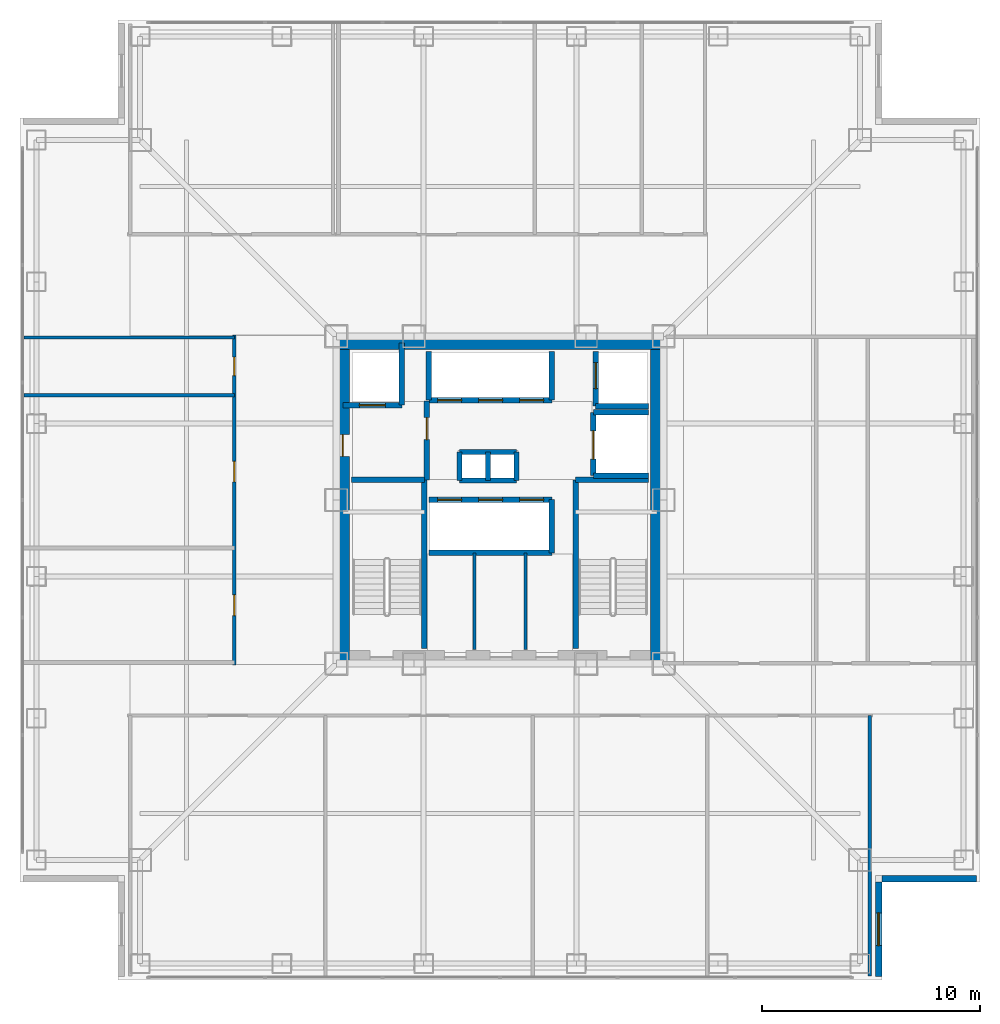
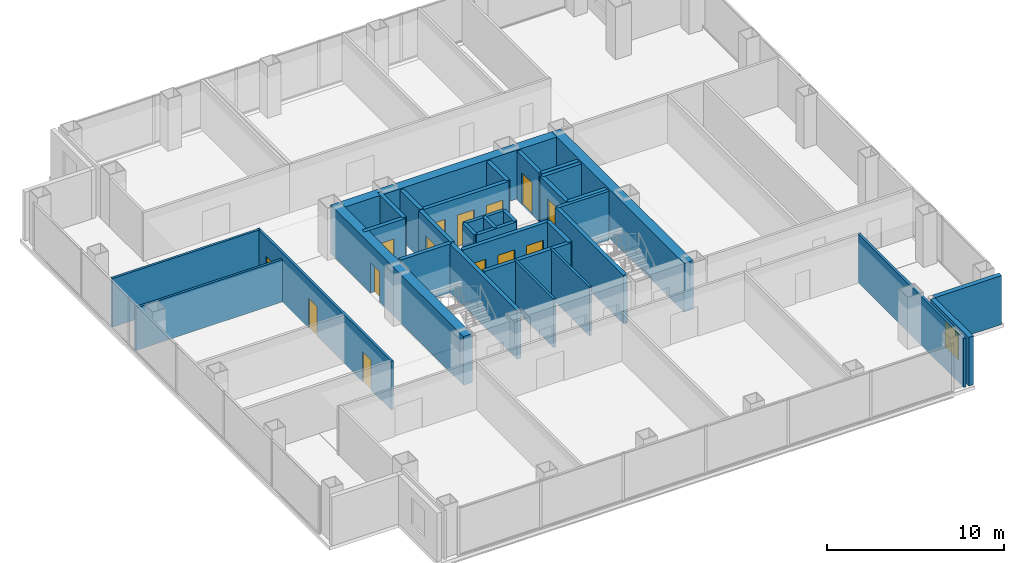
# One storey, part 13 of 17: 34 walls, 14 doors, 1 window, 15 openings.
"""IFC4 building model written with IfcOpenShell, lengths in metres."""

from ifc_helpers import new_model, si_unit, direction, frame, frame_2d, origin, place, context, subcontext, project, spatial, rectangle, extrude, material, layer, layer_set, type_object, element, fill, save


model = new_model("IFC4")

# Units and contexts
model_context = context("Model", 3, precision=1e-05, world=origin(), true_north=direction((0.0, 1.0)))
body_context = subcontext(model_context, "Body", "Model", "MODEL_VIEW")
ifc_project = project(units=[si_unit("LENGTHUNIT", "METRE"), si_unit("AREAUNIT", "SQUARE_METRE"), si_unit("VOLUMEUNIT", "CUBIC_METRE"), si_unit("PLANEANGLEUNIT", "RADIAN"), si_unit("MASSUNIT", "GRAM", prefix="KILO")], contexts=[model_context])

# Site, building, storey
site_placement = place(None, origin())
site = spatial("IfcSite", under=ifc_project, at=site_placement, CompositionType="ELEMENT")
building_placement = place(site_placement, origin())
building = spatial("IfcBuilding", under=site, at=building_placement, Name="Trevonay Congress Spire", CompositionType="ELEMENT")
storey_placement = place(building_placement, frame((0.0, 0.0, 130.0)))
storey = spatial("IfcBuildingStorey", under=building, at=storey_placement, Name="L33", CompositionType="ELEMENT", Elevation=130.0)

# Wall
ifc_material_1 = material(Name="Concrete C60/75", Category="concrete")
ifc_layer_1 = layer(ifc_material_1, 0.60009765625, Name="Concrete C60/75")
ifc_layer_set_1 = layer_set([ifc_layer_1], Name="Concrete C60/75")
wall_type_1 = type_object("IfcWallType", Name="WAL-CORE-600", PredefinedType="SHEAR", material=ifc_layer_set_1)
wall_1_placement = place(storey_placement, frame((-7.5, 7.199951171875, 0.0), z_axis=(0.0, 0.0, 1.0), x_axis=(1.0, 0.0, 0.0)))
element("IfcWall", 1, at=wall_1_placement, inside=storey, type_object=wall_type_1, Name="L33 North structural core shear wall", PredefinedType="SHEAR", context=body_context, shape_type="SweptSolid", body=[
    extrude(rectangle(XDim=15.0, YDim=0.60009765625, at=frame_2d((7.5, 0.0))), origin(), (0.0, 0.0, 1.0), 3.360107421875),
])

# Wall, opening, door
wall_2_placement = place(storey_placement, frame((-7.199951171875, -7.5, 0.0), z_axis=(0.0, 0.0, 1.0), x_axis=(0.0, 1.0, 0.0)))
wall_2 = element("IfcWall", 2, at=wall_2_placement, inside=storey, type_object=wall_type_1, Name="L33 West structural core shear wall", PredefinedType="SHEAR", context=body_context, shape_type="SweptSolid", body=[
    extrude(rectangle(XDim=15.0, YDim=0.60009765625, at=frame_2d((7.5, 0.0))), origin(), (0.0, 0.0, 1.0), 3.360107421875),
])
opening_1_placement = place(wall_2_placement, frame((9.5, 0.0, 0.0)))
opening_1 = element("IfcOpeningElement", 3, at=opening_1_placement, cuts=wall_2, Name="Opening D06", PredefinedType="OPENING", context=body_context, shape_type="SweptSolid", body=[
    extrude(rectangle(XDim=1.0, YDim=2.080078125, at=frame_2d((0.5, 1.0400390625))), frame((0.0, 0.31005859375, 0.0), z_axis=(0.0, -1.0, 0.0), x_axis=(1.0, 0.0, 0.0)), (0.0, 0.0, 1.0), 0.6201171875),
])
ifc_material_2 = material(Name="Steel ASTM A572 Grade 50", Category="steel")
door_type_1 = type_object("IfcDoorType", Name="DOR-FIRE-100", OperationType="NOTDEFINED", PredefinedType="DOOR", material=ifc_material_2)
door_1_placement = place(opening_1_placement, origin())
door_1 = element("IfcDoor", 4, at=door_1_placement, inside=storey, type_object=door_type_1, Name="L33 Firefighting Lift Lobby West Corridor Door", OperationType="SINGLE_SWING_LEFT", OverallHeight=2.080078125, OverallWidth=1.0, PredefinedType="DOOR", context=body_context, shape_type="SweptSolid", body=[
    extrude(rectangle(XDim=1.0, YDim=2.080078125, at=frame_2d((0.5, 1.0400390625))), frame((0.0, 0.02490234375, 0.0), z_axis=(0.0, -1.0, 0.0), x_axis=(1.0, 0.0, 0.0)), (0.0, 0.0, 1.0), 0.050048828125),
])
fill(opening_1, door_1)

# Wall
wall_3_placement = place(storey_placement, frame((7.199951171875, -7.5, 0.0), z_axis=(0.0, 0.0, 1.0), x_axis=(0.0, 1.0, 0.0)))
element("IfcWall", 5, at=wall_3_placement, inside=storey, type_object=wall_type_1, Name="L33 East structural core shear wall", PredefinedType="SHEAR", context=body_context, shape_type="SweptSolid", body=[
    extrude(rectangle(XDim=15.0, YDim=0.60009765625, at=frame_2d((7.5, 0.0))), origin(), (0.0, 0.0, 1.0), 3.360107421875),
])

# Wall, openings, doors
ifc_material_3 = material(Name="Concrete C40/50", Category="concrete")
ifc_layer_2 = layer(ifc_material_3, 0.14990234375, Name="Concrete C40/50")
ifc_layer_set_2 = layer_set([ifc_layer_2], Name="Concrete C40/50")
wall_type_2 = type_object("IfcWallType", Name="WAL-CORR-150", PredefinedType="PARTITIONING", material=ifc_layer_set_2)
wall_4_placement = place(storey_placement, frame((-12.179931640625, -7.570068359375, 0.0), z_axis=(0.0, 0.0, 1.0), x_axis=(0.0, 1.0, 0.0)))
wall_4 = element("IfcWall", 6, at=wall_4_placement, inside=storey, type_object=wall_type_2, Name="L33 interior wall WP-L33W-COR", PredefinedType="PARTITIONING", context=body_context, shape_type="SweptSolid", body=[
    extrude(rectangle(XDim=15.14013671875, YDim=0.14990234375, at=frame_2d((7.570068359375, 0.0))), origin(), (0.0, 0.0, 1.0), 3.360107421875),
])
opening_2_placement = place(wall_4_placement, frame((2.27001953125, 0.0, 0.0)))
opening_2 = element("IfcOpeningElement", 7, at=opening_2_placement, cuts=wall_4, Name="Opening D07", PredefinedType="OPENING", context=body_context, shape_type="SweptSolid", body=[
    extrude(rectangle(XDim=0.949951171875, YDim=2.06005859375, at=frame_2d((0.47509765625, 1.030029296875))), frame((0.0, 0.0849609375, 0.0), z_axis=(0.0, -1.0, 0.0), x_axis=(1.0, 0.0, 0.0)), (0.0, 0.0, 1.0), 0.169921875),
])
opening_3_placement = place(wall_4_placement, frame((8.39501953125, 0.0, 0.0)))
opening_3 = element("IfcOpeningElement", 8, at=opening_3_placement, cuts=wall_4, Name="Opening D07", PredefinedType="OPENING", context=body_context, shape_type="SweptSolid", body=[
    extrude(rectangle(XDim=0.949951171875, YDim=2.06005859375, at=frame_2d((0.47509765625, 1.030029296875))), frame((0.0, 0.0849609375, 0.0), z_axis=(0.0, -1.0, 0.0), x_axis=(1.0, 0.0, 0.0)), (0.0, 0.0, 1.0), 0.169921875),
])
opening_4_placement = place(wall_4_placement, frame((13.27001953125, 0.0, 0.0)))
opening_4 = element("IfcOpeningElement", 9, at=opening_4_placement, cuts=wall_4, Name="Opening D10", PredefinedType="OPENING", context=body_context, shape_type="SweptSolid", body=[
    extrude(rectangle(XDim=0.85009765625, YDim=2.050048828125, at=frame_2d((0.425048828125, 1.02490234375))), frame((0.0, 0.0849609375, 0.0), z_axis=(0.0, -1.0, 0.0), x_axis=(1.0, 0.0, 0.0)), (0.0, 0.0, 1.0), 0.169921875),
])
ifc_material_4 = material(Name="Pale Anodised Aluminium EN AW-6063-T6", Category="aluminium")
door_type_2 = type_object("IfcDoorType", Name="DOR-OFFICE-95", OperationType="NOTDEFINED", PredefinedType="DOOR", material=ifc_material_4)
door_2_placement = place(opening_2_placement, origin())
door_2 = element("IfcDoor", 10, at=door_2_placement, inside=storey, type_object=door_type_2, Name="L33 Faculty Office West Door", OperationType="SINGLE_SWING_LEFT", OverallHeight=2.06005859375, OverallWidth=0.949951171875, PredefinedType="DOOR", context=body_context, shape_type="SweptSolid", body=[
    extrude(rectangle(XDim=0.949951171875, YDim=2.06005859375, at=frame_2d((0.47509765625, 1.030029296875))), frame((0.0, 0.02490234375, 0.0), z_axis=(0.0, -1.0, 0.0), x_axis=(1.0, 0.0, 0.0)), (0.0, 0.0, 1.0), 0.050048828125),
])
fill(opening_2, door_2)
door_3_placement = place(opening_3_placement, origin())
door_3 = element("IfcDoor", 11, at=door_3_placement, inside=storey, type_object=door_type_2, Name="L33 Tutorial Seminar Room Door", OperationType="SINGLE_SWING_RIGHT", OverallHeight=2.06005859375, OverallWidth=0.949951171875, PredefinedType="DOOR", context=body_context, shape_type="SweptSolid", body=[
    extrude(rectangle(XDim=0.949951171875, YDim=2.06005859375, at=frame_2d((0.47509765625, 1.030029296875))), frame((0.0, 0.02490234375, 0.0), z_axis=(0.0, -1.0, 0.0), x_axis=(1.0, 0.0, 0.0)), (0.0, 0.0, 1.0), 0.050048828125),
])
fill(opening_3, door_3)
door_type_3 = type_object("IfcDoorType", Name="DOR-WC-85", OperationType="NOTDEFINED", PredefinedType="DOOR", material=ifc_material_4)
door_4_placement = place(opening_4_placement, origin())
door_4 = element("IfcDoor", 12, at=door_4_placement, inside=storey, type_object=door_type_3, Name="L33 Accessible WC Door", OperationType="SINGLE_SWING_LEFT", OverallHeight=2.050048828125, OverallWidth=0.85009765625, PredefinedType="DOOR", context=body_context, shape_type="SweptSolid", body=[
    extrude(rectangle(XDim=0.85009765625, YDim=2.050048828125, at=frame_2d((0.425048828125, 1.02490234375))), frame((0.0, 0.02490234375, 0.0), z_axis=(0.0, -1.0, 0.0), x_axis=(1.0, 0.0, 0.0)), (0.0, 0.0, 1.0), 0.050048828125),
])
fill(opening_4, door_4)

# Wall, opening, window
ifc_material_5 = material(Name="Precast concrete C40/50", Category="concrete")
ifc_layer_3 = layer(ifc_material_5, 0.300048828125, Name="Precast concrete C40/50")
ifc_layer_set_3 = layer_set([ifc_layer_3], Name="Precast concrete C40/50")
wall_type_3 = type_object("IfcWallType", Name="WAL-EXT-PRECAST-300", PredefinedType="SOLIDWALL", material=ifc_layer_set_3)
wall_5_placement = place(storey_placement, frame((17.35009765625, -21.85009765625, 0.0), z_axis=(0.0, 0.0, 1.0), x_axis=(0.0, 1.0, 0.0)))
wall_5 = element("IfcWall", 13, at=wall_5_placement, inside=storey, type_object=wall_type_3, Name="L33 SE re-entrant notch exterior wall 1", PredefinedType="SOLIDWALL", context=body_context, shape_type="SweptSolid", body=[
    extrude(rectangle(XDim=4.35009765625, YDim=0.300048828125, at=frame_2d((2.175048828125, 0.0))), origin(), (0.0, 0.0, 1.0), 3.360107421875),
])
opening_5_placement = place(wall_5_placement, frame((1.425048828125, 0.0, 0.89990234375)))
opening_5 = element("IfcOpeningElement", 14, at=opening_5_placement, cuts=wall_5, Name="Opening WN03", PredefinedType="OPENING", context=body_context, shape_type="SweptSolid", body=[
    extrude(rectangle(XDim=1.5, YDim=1.800048828125, at=frame_2d((0.75, 0.89990234375))), frame((0.0, 0.16015625, 0.0), z_axis=(0.0, -1.0, 0.0), x_axis=(1.0, 0.0, 0.0)), (0.0, 0.0, 1.0), 0.320068359375),
])
ifc_material_6 = material(Name="Insulated Low-E Vision Glass IGU", Category="glass")
window_type = type_object("IfcWindowType", Name="WIN-NOTCH-150X180", PartitioningType="SINGLE_PANEL", PredefinedType="WINDOW", material=ifc_material_6)
window_placement = place(opening_5_placement, origin())
window = element("IfcWindow", 15, at=window_placement, inside=storey, type_object=window_type, Name="L33 SE corner notch window", OverallHeight=1.800048828125, OverallWidth=1.5, PartitioningType="SINGLE_PANEL", PredefinedType="WINDOW", context=body_context, shape_type="SweptSolid", body=[
    extrude(rectangle(XDim=1.5, YDim=1.800048828125, at=frame_2d((0.75, 0.89990234375))), frame((0.0, 0.030029296875, 0.0), z_axis=(0.0, -1.0, 0.0), x_axis=(1.0, 0.0, 0.0)), (0.0, 0.0, 1.0), 0.06005859375),
])
fill(opening_5, window)

# Walls
wall_6_placement = place(storey_placement, frame((21.85009765625, -17.35009765625, 0.0), z_axis=(0.0, 0.0, 1.0), x_axis=(-1.0, 0.0, 0.0)))
element("IfcWall", 16, at=wall_6_placement, inside=storey, type_object=wall_type_3, Name="L33 SE re-entrant notch exterior wall 2", PredefinedType="SOLIDWALL", context=body_context, shape_type="SweptSolid", body=[
    extrude(rectangle(XDim=4.35009765625, YDim=0.300048828125, at=frame_2d((2.175048828125, 0.0))), origin(), (0.0, 0.0, 1.0), 3.360107421875),
])
ifc_layer_4 = layer(ifc_material_3, 0.14990234375, Name="Concrete C40/50")
ifc_layer_set_4 = layer_set([ifc_layer_4], Name="Concrete C40/50")
wall_type_4 = type_object("IfcWallType", Name="WAL-PART-150", PredefinedType="PARTITIONING", material=ifc_layer_set_4)
for number, where, z_axis, x_axis, name in (
    (17, (-1.169921875, -6.85009765625, 0.0), (0.0, 0.0, 1.0), (0.0, 1.0, 0.0), "L33 interior wall CW-F2A-L33"),
    (18, (1.169921875, -6.85009765625, 0.0), (0.0, 0.0, 1.0), (0.0, 1.0, 0.0), "L33 interior wall CW-F2B-L33"),
):
    element("IfcWall", number, at=place(storey_placement, frame(where, z_axis=z_axis, x_axis=x_axis)), inside=storey, type_object=wall_type_4, Name=name, PredefinedType="PARTITIONING", context=body_context, shape_type="SweptSolid", body=[
        extrude(rectangle(XDim=4.420166015625, YDim=0.14990234375, at=frame_2d((2.2099609375, 0.0))), origin(), (0.0, 0.0, 1.0), 3.360107421875),
    ])
wall_7_placement = place(storey_placement, frame((16.949951171875, -21.820068359375, 0.0), z_axis=(0.0, 0.0, 1.0), x_axis=(0.0, 1.0, 0.0)))
element("IfcWall", 19, at=wall_7_placement, inside=storey, type_object=wall_type_4, Name="L33 interior wall WP-L33S-DIV5", PredefinedType="PARTITIONING", context=body_context, shape_type="SweptSolid", body=[
    extrude(rectangle(XDim=11.940185546875, YDim=0.14990234375, at=frame_2d((5.97021484375, 0.0))), origin(), (0.0, 0.0, 1.0), 3.360107421875),
])
wall_8_placement = place(storey_placement, frame((-21.820068359375, 4.800048828125, 0.0), z_axis=(0.0, 0.0, 1.0), x_axis=(1.0, 0.0, 0.0)))
element("IfcWall", 20, at=wall_8_placement, inside=storey, type_object=wall_type_4, Name="L33 interior wall WP-L33W-DIV3", PredefinedType="PARTITIONING", context=body_context, shape_type="SweptSolid", body=[
    extrude(rectangle(XDim=9.64013671875, YDim=0.14990234375, at=frame_2d((4.820068359375, 0.0))), origin(), (0.0, 0.0, 1.0), 2.927978515625),
])
wall_9_placement = place(storey_placement, frame((-21.820068359375, 7.449951171875, 0.0), z_axis=(0.0, 0.0, 1.0), x_axis=(1.0, 0.0, 0.0)))
element("IfcWall", 21, at=wall_9_placement, inside=storey, type_object=wall_type_4, Name="L33 interior wall WP-L33W-DIV4", PredefinedType="PARTITIONING", context=body_context, shape_type="SweptSolid", body=[
    extrude(rectangle(XDim=9.64013671875, YDim=0.14990234375, at=frame_2d((4.820068359375, 0.0))), origin(), (0.0, 0.0, 1.0), 3.360107421875),
])
ifc_layer_5 = layer(ifc_material_3, 0.219970703125, Name="Concrete C40/50")
ifc_layer_set_5 = layer_set([ifc_layer_5], Name="Concrete C40/50")
wall_type_5 = type_object("IfcWallType", Name="WAL-SHAFT-220", PredefinedType="PARTITIONING", material=ifc_layer_set_5)
for number, where, z_axis, x_axis, name in (
    (22, (-1.85009765625, 2.199951171875, 0.0), (0.0, 0.0, 1.0), (1.0, 0.0, 0.0), "L33 interior shaft wall WSH-L33-RSR-N"),
    (23, (-1.85009765625, 0.89990234375, 0.0), (0.0, 0.0, 1.0), (1.0, 0.0, 0.0), "L33 interior shaft wall WSH-L33-RSR-S"),
):
    element("IfcWall", number, at=place(storey_placement, frame(where, z_axis=z_axis, x_axis=x_axis)), inside=storey, type_object=wall_type_5, Name=name, PredefinedType="PARTITIONING", context=body_context, shape_type="SweptSolid", body=[
        extrude(rectangle(XDim=2.60009765625, YDim=0.219970703125, at=frame_2d((1.300048828125, 0.0))), origin(), (0.0, 0.0, 1.0), 3.360107421875),
    ])
for number, where, z_axis, x_axis, name in (
    (24, (-0.550048828125, 0.89990234375, 0.0), (0.0, 0.0, 1.0), (0.0, 1.0, 0.0), "L33 interior shaft wall WSH-L33-RSR-M"),
    (25, (0.75, 0.89990234375, 0.0), (0.0, 0.0, 1.0), (0.0, 1.0, 0.0), "L33 interior shaft wall WSH-L33-RSR-E"),
    (26, (-1.85009765625, 0.89990234375, 0.0), (0.0, 0.0, 1.0), (0.0, 1.0, 0.0), "L33 interior shaft wall WSH-L33-RSR-W"),
):
    element("IfcWall", number, at=place(storey_placement, frame(where, z_axis=z_axis, x_axis=x_axis)), inside=storey, type_object=wall_type_5, Name=name, PredefinedType="PARTITIONING", context=body_context, shape_type="SweptSolid", body=[
        extrude(rectangle(XDim=1.300048828125, YDim=0.219970703125, at=frame_2d((0.64990234375, 0.0))), origin(), (0.0, 0.0, 1.0), 3.360107421875),
    ])

# Wall, openings, doors
ifc_layer_6 = layer(ifc_material_3, 0.25, Name="Concrete C40/50")
ifc_layer_set_6 = layer_set([ifc_layer_6], Name="Concrete C40/50")
wall_type_6 = type_object("IfcWallType", Name="WAL-SHAFT-250", PredefinedType="SHEAR", material=ifc_layer_set_6)
wall_10_placement = place(storey_placement, frame((-3.260009765625, 0.02001953125, 0.0), z_axis=(0.0, 0.0, 1.0), x_axis=(1.0, 0.0, 0.0)))
wall_10 = element("IfcWall", 27, at=wall_10_placement, inside=storey, type_object=wall_type_6, Name="L33 interior shaft wall WSH-L33-B2-N", PredefinedType="SHEAR", context=body_context, shape_type="SweptSolid", body=[
    extrude(rectangle(XDim=5.639892578125, YDim=0.25, at=frame_2d((2.81982421875, 0.0))), origin(), (0.0, 0.0, 1.0), 3.360107421875),
])
opening_6_placement = place(wall_10_placement, frame((0.39990234375, 0.0, 0.0)))
opening_6 = element("IfcOpeningElement", 28, at=opening_6_placement, cuts=wall_10, Name="Opening LD02", PredefinedType="OPENING", context=body_context, shape_type="SweptSolid", body=[
    extrude(rectangle(XDim=1.10009765625, YDim=2.199951171875, at=frame_2d((0.550048828125, 1.10009765625))), frame((0.0, 0.135009765625, 0.0), z_axis=(0.0, -1.0, 0.0), x_axis=(1.0, 0.0, 0.0)), (0.0, 0.0, 1.0), 0.27001953125),
])
opening_7_placement = place(wall_10_placement, frame((2.280029296875, 0.0, 0.0)))
opening_7 = element("IfcOpeningElement", 29, at=opening_7_placement, cuts=wall_10, Name="Opening LD02", PredefinedType="OPENING", context=body_context, shape_type="SweptSolid", body=[
    extrude(rectangle(XDim=1.10009765625, YDim=2.199951171875, at=frame_2d((0.550048828125, 1.10009765625))), frame((0.0, 0.135009765625, 0.0), z_axis=(0.0, -1.0, 0.0), x_axis=(1.0, 0.0, 0.0)), (0.0, 0.0, 1.0), 0.27001953125),
])
opening_8_placement = place(wall_10_placement, frame((4.159912109375, 0.0, 0.0)))
opening_8 = element("IfcOpeningElement", 30, at=opening_8_placement, cuts=wall_10, Name="Opening LD02", PredefinedType="OPENING", context=body_context, shape_type="SweptSolid", body=[
    extrude(rectangle(XDim=1.10009765625, YDim=2.199951171875, at=frame_2d((0.550048828125, 1.10009765625))), frame((0.0, 0.135009765625, 0.0), z_axis=(0.0, -1.0, 0.0), x_axis=(1.0, 0.0, 0.0)), (0.0, 0.0, 1.0), 0.27001953125),
])
door_type_4 = type_object("IfcDoorType", Name="DOR-LIFT-LD02", OperationType="DOUBLE_DOOR_SLIDING", PredefinedType="DOOR", material=ifc_material_4)
door_5_placement = place(opening_6_placement, origin())
door_5 = element("IfcDoor", 31, at=door_5_placement, inside=storey, type_object=door_type_4, Name="L33 Passenger lift PL-04 landing door", OperationType="DOUBLE_DOOR_SLIDING", OverallHeight=2.199951171875, OverallWidth=1.10009765625, PredefinedType="DOOR", context=body_context, shape_type="SweptSolid", body=[
    extrude(rectangle(XDim=1.10009765625, YDim=2.199951171875, at=frame_2d((0.550048828125, 1.10009765625))), frame((0.0, 0.02490234375, 0.0), z_axis=(0.0, -1.0, 0.0), x_axis=(1.0, 0.0, 0.0)), (0.0, 0.0, 1.0), 0.050048828125),
])
fill(opening_6, door_5)
door_6_placement = place(opening_7_placement, origin())
door_6 = element("IfcDoor", 32, at=door_6_placement, inside=storey, type_object=door_type_4, Name="L33 Passenger lift PL-05 landing door", OperationType="DOUBLE_DOOR_SLIDING", OverallHeight=2.199951171875, OverallWidth=1.10009765625, PredefinedType="DOOR", context=body_context, shape_type="SweptSolid", body=[
    extrude(rectangle(XDim=1.10009765625, YDim=2.199951171875, at=frame_2d((0.550048828125, 1.10009765625))), frame((0.0, 0.02490234375, 0.0), z_axis=(0.0, -1.0, 0.0), x_axis=(1.0, 0.0, 0.0)), (0.0, 0.0, 1.0), 0.050048828125),
])
fill(opening_7, door_6)
door_7_placement = place(opening_8_placement, origin())
door_7 = element("IfcDoor", 33, at=door_7_placement, inside=storey, type_object=door_type_4, Name="L33 Passenger lift PL-06 landing door", OperationType="DOUBLE_DOOR_SLIDING", OverallHeight=2.199951171875, OverallWidth=1.10009765625, PredefinedType="DOOR", context=body_context, shape_type="SweptSolid", body=[
    extrude(rectangle(XDim=1.10009765625, YDim=2.199951171875, at=frame_2d((0.550048828125, 1.10009765625))), frame((0.0, 0.02490234375, 0.0), z_axis=(0.0, -1.0, 0.0), x_axis=(1.0, 0.0, 0.0)), (0.0, 0.0, 1.0), 0.050048828125),
])
fill(opening_8, door_7)

# Walls
wall_11_placement = place(storey_placement, frame((-3.260009765625, -2.419921875, 0.0), z_axis=(0.0, 0.0, 1.0), x_axis=(1.0, 0.0, 0.0)))
element("IfcWall", 34, at=wall_11_placement, inside=storey, type_object=wall_type_6, Name="L33 interior shaft wall WSH-L33-B2-S", PredefinedType="SHEAR", context=body_context, shape_type="SweptSolid", body=[
    extrude(rectangle(XDim=5.639892578125, YDim=0.25, at=frame_2d((2.81982421875, 0.0))), origin(), (0.0, 0.0, 1.0), 3.360107421875),
])
wall_12_placement = place(storey_placement, frame((2.3798828125, -2.419921875, 0.0), z_axis=(0.0, 0.0, 1.0), x_axis=(0.0, 1.0, 0.0)))
element("IfcWall", 35, at=wall_12_placement, inside=storey, type_object=wall_type_6, Name="L33 interior shaft wall WSH-L33-B2-E", PredefinedType="SHEAR", context=body_context, shape_type="SweptSolid", body=[
    extrude(rectangle(XDim=2.43994140625, YDim=0.25, at=frame_2d((1.219970703125, 0.0))), origin(), (0.0, 0.0, 1.0), 3.360107421875),
])

# Wall, openings, doors
wall_13_placement = place(storey_placement, frame((-3.260009765625, 4.580078125, 0.0), z_axis=(0.0, 0.0, 1.0), x_axis=(1.0, 0.0, 0.0)))
wall_13 = element("IfcWall", 36, at=wall_13_placement, inside=storey, type_object=wall_type_6, Name="L33 interior shaft wall WSH-L33-B3-S", PredefinedType="SHEAR", context=body_context, shape_type="SweptSolid", body=[
    extrude(rectangle(XDim=5.639892578125, YDim=0.25, at=frame_2d((2.81982421875, 0.0))), origin(), (0.0, 0.0, 1.0), 3.360107421875),
])
opening_9_placement = place(wall_13_placement, frame((0.39990234375, 0.0, 0.0)))
opening_9 = element("IfcOpeningElement", 37, at=opening_9_placement, cuts=wall_13, Name="Opening LD03", PredefinedType="OPENING", context=body_context, shape_type="SweptSolid", body=[
    extrude(rectangle(XDim=1.10009765625, YDim=2.199951171875, at=frame_2d((0.550048828125, 1.10009765625))), frame((0.0, 0.135009765625, 0.0), z_axis=(0.0, -1.0, 0.0), x_axis=(1.0, 0.0, 0.0)), (0.0, 0.0, 1.0), 0.27001953125),
])
opening_10_placement = place(wall_13_placement, frame((2.280029296875, 0.0, 0.0)))
opening_10 = element("IfcOpeningElement", 38, at=opening_10_placement, cuts=wall_13, Name="Opening LD03", PredefinedType="OPENING", context=body_context, shape_type="SweptSolid", body=[
    extrude(rectangle(XDim=1.10009765625, YDim=2.199951171875, at=frame_2d((0.550048828125, 1.10009765625))), frame((0.0, 0.135009765625, 0.0), z_axis=(0.0, -1.0, 0.0), x_axis=(1.0, 0.0, 0.0)), (0.0, 0.0, 1.0), 0.27001953125),
])
opening_11_placement = place(wall_13_placement, frame((4.159912109375, 0.0, 0.0)))
opening_11 = element("IfcOpeningElement", 39, at=opening_11_placement, cuts=wall_13, Name="Opening LD03", PredefinedType="OPENING", context=body_context, shape_type="SweptSolid", body=[
    extrude(rectangle(XDim=1.10009765625, YDim=2.199951171875, at=frame_2d((0.550048828125, 1.10009765625))), frame((0.0, 0.135009765625, 0.0), z_axis=(0.0, -1.0, 0.0), x_axis=(1.0, 0.0, 0.0)), (0.0, 0.0, 1.0), 0.27001953125),
])
door_type_5 = type_object("IfcDoorType", Name="DOR-LIFT-LD03", OperationType="DOUBLE_DOOR_SLIDING", PredefinedType="DOOR", material=ifc_material_4)
door_8_placement = place(opening_9_placement, origin())
door_8 = element("IfcDoor", 40, at=door_8_placement, inside=storey, type_object=door_type_5, Name="L33 Passenger lift PL-07 landing door", OperationType="DOUBLE_DOOR_SLIDING", OverallHeight=2.199951171875, OverallWidth=1.10009765625, PredefinedType="DOOR", context=body_context, shape_type="SweptSolid", body=[
    extrude(rectangle(XDim=1.10009765625, YDim=2.199951171875, at=frame_2d((0.550048828125, 1.10009765625))), frame((0.0, 0.02490234375, 0.0), z_axis=(0.0, -1.0, 0.0), x_axis=(1.0, 0.0, 0.0)), (0.0, 0.0, 1.0), 0.050048828125),
])
fill(opening_9, door_8)
door_9_placement = place(opening_10_placement, origin())
door_9 = element("IfcDoor", 41, at=door_9_placement, inside=storey, type_object=door_type_5, Name="L33 Passenger lift PL-08 landing door", OperationType="DOUBLE_DOOR_SLIDING", OverallHeight=2.199951171875, OverallWidth=1.10009765625, PredefinedType="DOOR", context=body_context, shape_type="SweptSolid", body=[
    extrude(rectangle(XDim=1.10009765625, YDim=2.199951171875, at=frame_2d((0.550048828125, 1.10009765625))), frame((0.0, 0.02490234375, 0.0), z_axis=(0.0, -1.0, 0.0), x_axis=(1.0, 0.0, 0.0)), (0.0, 0.0, 1.0), 0.050048828125),
])
fill(opening_10, door_9)
door_10_placement = place(opening_11_placement, origin())
door_10 = element("IfcDoor", 42, at=door_10_placement, inside=storey, type_object=door_type_5, Name="L33 Passenger lift PL-09 landing door", OperationType="DOUBLE_DOOR_SLIDING", OverallHeight=2.199951171875, OverallWidth=1.10009765625, PredefinedType="DOOR", context=body_context, shape_type="SweptSolid", body=[
    extrude(rectangle(XDim=1.10009765625, YDim=2.199951171875, at=frame_2d((0.550048828125, 1.10009765625))), frame((0.0, 0.02490234375, 0.0), z_axis=(0.0, -1.0, 0.0), x_axis=(1.0, 0.0, 0.0)), (0.0, 0.0, 1.0), 0.050048828125),
])
fill(opening_11, door_10)

# Walls
for number, where, z_axis, x_axis, name in (
    (43, (-3.260009765625, 4.580078125, 0.0), (0.0, 0.0, 1.0), (0.0, 1.0, 0.0), "L33 interior shaft wall WSH-L33-B3-W"),
    (44, (2.3798828125, 4.580078125, 0.0), (0.0, 0.0, 1.0), (0.0, 1.0, 0.0), "L33 interior shaft wall WSH-L33-B3-E"),
):
    element("IfcWall", number, at=place(storey_placement, frame(where, z_axis=z_axis, x_axis=x_axis)), inside=storey, type_object=wall_type_6, Name=name, PredefinedType="SHEAR", context=body_context, shape_type="SweptSolid", body=[
        extrude(rectangle(XDim=2.219970703125, YDim=0.25, at=frame_2d((1.10986328125, 0.0))), origin(), (0.0, 0.0, 1.0), 3.360107421875),
    ])

# Wall, opening, door
wall_14_placement = place(storey_placement, frame((-7.199951171875, 4.35009765625, 0.0), z_axis=(0.0, 0.0, 1.0), x_axis=(1.0, 0.0, 0.0)))
wall_14 = element("IfcWall", 45, at=wall_14_placement, inside=storey, type_object=wall_type_6, Name="L33 interior shaft wall WSH-L33-FF1-S", PredefinedType="SHEAR", context=body_context, shape_type="SweptSolid", body=[
    extrude(rectangle(XDim=2.699951171875, YDim=0.25, at=frame_2d((1.35009765625, 0.0))), origin(), (0.0, 0.0, 1.0), 3.360107421875),
])
opening_12_placement = place(wall_14_placement, frame((0.75, 0.0, 0.0)))
opening_12 = element("IfcOpeningElement", 46, at=opening_12_placement, cuts=wall_14, Name="Opening LD04", PredefinedType="OPENING", context=body_context, shape_type="SweptSolid", body=[
    extrude(rectangle(XDim=1.199951171875, YDim=2.199951171875, at=frame_2d((0.60009765625, 1.10009765625))), frame((0.0, 0.135009765625, 0.0), z_axis=(0.0, -1.0, 0.0), x_axis=(1.0, 0.0, 0.0)), (0.0, 0.0, 1.0), 0.27001953125),
])
door_type_6 = type_object("IfcDoorType", Name="DOR-LIFT-LD04", OperationType="DOUBLE_DOOR_SLIDING", PredefinedType="DOOR", material=ifc_material_2)
door_11_placement = place(opening_12_placement, origin())
door_11 = element("IfcDoor", 47, at=door_11_placement, inside=storey, type_object=door_type_6, Name="L33 Firefighting lift FFL-01 landing door", OperationType="DOUBLE_DOOR_SLIDING", OverallHeight=2.199951171875, OverallWidth=1.199951171875, PredefinedType="DOOR", context=body_context, shape_type="SweptSolid", body=[
    extrude(rectangle(XDim=1.199951171875, YDim=2.199951171875, at=frame_2d((0.60009765625, 1.10009765625))), frame((0.0, 0.02490234375, 0.0), z_axis=(0.0, -1.0, 0.0), x_axis=(1.0, 0.0, 0.0)), (0.0, 0.0, 1.0), 0.050048828125),
])
fill(opening_12, door_11)

# Walls
wall_15_placement = place(storey_placement, frame((-4.5, 4.35009765625, 0.0), z_axis=(0.0, 0.0, 1.0), x_axis=(0.0, 1.0, 0.0)))
element("IfcWall", 48, at=wall_15_placement, inside=storey, type_object=wall_type_6, Name="L33 interior shaft wall WSH-L33-FF1-E", PredefinedType="SHEAR", context=body_context, shape_type="SweptSolid", body=[
    extrude(rectangle(XDim=2.849853515625, YDim=0.25, at=frame_2d((1.4248046875, 0.0))), origin(), (0.0, 0.0, 1.0), 3.360107421875),
])
wall_16_placement = place(storey_placement, frame((4.3798828125, 4.300048828125, 0.0), z_axis=(0.0, 0.0, 1.0), x_axis=(1.0, 0.0, 0.0)))
element("IfcWall", 49, at=wall_16_placement, inside=storey, type_object=wall_type_6, Name="L33 interior shaft wall WSH-L33-FF2-S", PredefinedType="SHEAR", context=body_context, shape_type="SweptSolid", body=[
    extrude(rectangle(XDim=2.420166015625, YDim=0.25, at=frame_2d((1.2099609375, 0.0))), origin(), (0.0, 0.0, 1.0), 3.360107421875),
])

# Wall, opening, door
wall_17_placement = place(storey_placement, frame((4.3798828125, 4.300048828125, 0.0), z_axis=(0.0, 0.0, 1.0), x_axis=(0.0, 1.0, 0.0)))
wall_17 = element("IfcWall", 50, at=wall_17_placement, inside=storey, type_object=wall_type_6, Name="L33 interior shaft wall WSH-L33-FF2-W", PredefinedType="SHEAR", context=body_context, shape_type="SweptSolid", body=[
    extrude(rectangle(XDim=2.5, YDim=0.25, at=frame_2d((1.25, 0.0))), origin(), (0.0, 0.0, 1.0), 3.360107421875),
])
opening_13_placement = place(wall_17_placement, frame((0.800048828125, 0.0, 0.0)))
opening_13 = element("IfcOpeningElement", 51, at=opening_13_placement, cuts=wall_17, Name="Opening LD04", PredefinedType="OPENING", context=body_context, shape_type="SweptSolid", body=[
    extrude(rectangle(XDim=1.199951171875, YDim=2.199951171875, at=frame_2d((0.60009765625, 1.10009765625))), frame((0.0, 0.135009765625, 0.0), z_axis=(0.0, -1.0, 0.0), x_axis=(1.0, 0.0, 0.0)), (0.0, 0.0, 1.0), 0.27001953125),
])
door_12_placement = place(opening_13_placement, origin())
door_12 = element("IfcDoor", 52, at=door_12_placement, inside=storey, type_object=door_type_6, Name="L33 Firefighting lift FFL-02 landing door", OperationType="DOUBLE_DOOR_SLIDING", OverallHeight=2.199951171875, OverallWidth=1.199951171875, PredefinedType="DOOR", context=body_context, shape_type="SweptSolid", body=[
    extrude(rectangle(XDim=1.199951171875, YDim=2.199951171875, at=frame_2d((0.60009765625, 1.10009765625))), frame((0.0, 0.02490234375, 0.0), z_axis=(0.0, -1.0, 0.0), x_axis=(1.0, 0.0, 0.0)), (0.0, 0.0, 1.0), 0.050048828125),
])
fill(opening_13, door_12)

wall_18_placement = place(storey_placement, frame((4.280029296875, 1.1201171875, 0.0), z_axis=(0.0, 0.0, 1.0), x_axis=(0.0, 1.0, 0.0)))
wall_18 = element("IfcWall", 53, at=wall_18_placement, inside=storey, type_object=wall_type_6, Name="L33 interior shaft wall WSH-L33-SV-W", PredefinedType="SHEAR", context=body_context, shape_type="SweptSolid", body=[
    extrude(rectangle(XDim=2.89990234375, YDim=0.25, at=frame_2d((1.449951171875, 0.0))), origin(), (0.0, 0.0, 1.0), 3.360107421875),
])
opening_14_placement = place(wall_18_placement, frame((0.75, 0.0, 0.0)))
opening_14 = element("IfcOpeningElement", 54, at=opening_14_placement, cuts=wall_18, Name="Opening LD05", PredefinedType="OPENING", context=body_context, shape_type="SweptSolid", body=[
    extrude(rectangle(XDim=1.300048828125, YDim=2.300048828125, at=frame_2d((0.64990234375, 1.14990234375))), frame((0.0, 0.135009765625, 0.0), z_axis=(0.0, -1.0, 0.0), x_axis=(1.0, 0.0, 0.0)), (0.0, 0.0, 1.0), 0.27001953125),
])
door_type_7 = type_object("IfcDoorType", Name="DOR-LIFT-LD05", OperationType="DOUBLE_DOOR_SLIDING", PredefinedType="DOOR", material=ifc_material_2)
door_13_placement = place(opening_14_placement, origin())
door_13 = element("IfcDoor", 55, at=door_13_placement, inside=storey, type_object=door_type_7, Name="L33 Goods lift SVL-01 landing door", OperationType="DOUBLE_DOOR_SLIDING", OverallHeight=2.300048828125, OverallWidth=1.300048828125, PredefinedType="DOOR", context=body_context, shape_type="SweptSolid", body=[
    extrude(rectangle(XDim=1.300048828125, YDim=2.300048828125, at=frame_2d((0.64990234375, 1.14990234375))), frame((0.0, 0.02490234375, 0.0), z_axis=(0.0, -1.0, 0.0), x_axis=(1.0, 0.0, 0.0)), (0.0, 0.0, 1.0), 0.050048828125),
])
fill(opening_14, door_13)

# Walls
for number, where, z_axis, x_axis, name in (
    (56, (4.280029296875, 1.1201171875, 0.0), (0.0, 0.0, 1.0), (1.0, 0.0, 0.0), "L33 interior shaft wall WSH-L33-SV-S"),
    (57, (4.280029296875, 4.02001953125, 0.0), (0.0, 0.0, 1.0), (1.0, 0.0, 0.0), "L33 interior shaft wall WSH-L33-SV-N"),
):
    element("IfcWall", number, at=place(storey_placement, frame(where, z_axis=z_axis, x_axis=x_axis)), inside=storey, type_object=wall_type_6, Name=name, PredefinedType="SHEAR", context=body_context, shape_type="SweptSolid", body=[
        extrude(rectangle(XDim=2.52001953125, YDim=0.25, at=frame_2d((1.260009765625, 0.0))), origin(), (0.0, 0.0, 1.0), 3.360107421875),
    ])

# Wall, opening, door
wall_19_placement = place(storey_placement, frame((-3.35009765625, 0.919921875, 0.0), z_axis=(0.0, 0.0, 1.0), x_axis=(0.0, 1.0, 0.0)))
wall_19 = element("IfcWall", 58, at=wall_19_placement, inside=storey, type_object=wall_type_6, Name="L33 interior wall CW-FFLW-E-L33", PredefinedType="SHEAR", context=body_context, shape_type="SweptSolid", body=[
    extrude(rectangle(XDim=3.6201171875, YDim=0.25, at=frame_2d((1.81005859375, 0.0))), origin(), (0.0, 0.0, 1.0), 3.360107421875),
])
opening_15_placement = place(wall_19_placement, frame((1.85009765625, 0.0, 0.0)))
opening_15 = element("IfcOpeningElement", 59, at=opening_15_placement, cuts=wall_19, Name="Opening D06", PredefinedType="OPENING", context=body_context, shape_type="SweptSolid", body=[
    extrude(rectangle(XDim=1.0, YDim=2.080078125, at=frame_2d((0.5, 1.0400390625))), frame((0.0, 0.135009765625, 0.0), z_axis=(0.0, -1.0, 0.0), x_axis=(1.0, 0.0, 0.0)), (0.0, 0.0, 1.0), 0.27001953125),
])
door_14_placement = place(opening_15_placement, origin())
door_14 = element("IfcDoor", 60, at=door_14_placement, inside=storey, type_object=door_type_1, Name="L33 Firefighting Core Lobby Transfer Door", OperationType="SINGLE_SWING_LEFT", OverallHeight=2.080078125, OverallWidth=1.0, PredefinedType="DOOR", context=body_context, shape_type="SweptSolid", body=[
    extrude(rectangle(XDim=1.0, YDim=2.080078125, at=frame_2d((0.5, 1.0400390625))), frame((0.0, 0.02490234375, 0.0), z_axis=(0.0, -1.0, 0.0), x_axis=(1.0, 0.0, 0.0)), (0.0, 0.0, 1.0), 0.050048828125),
])
fill(opening_15, door_14)

# Walls
ifc_layer_7 = layer(ifc_material_3, 0.25, Name="Concrete C40/50")
ifc_layer_set_7 = layer_set([ifc_layer_7], Name="Concrete C40/50")
wall_type_7 = type_object("IfcWallType", Name="WAL-SHAFT-LB-250", PredefinedType="SHEAR", material=ifc_layer_set_7)
wall_20_placement = place(storey_placement, frame((-3.469970703125, -6.800048828125, 0.0), z_axis=(0.0, 0.0, 1.0), x_axis=(0.0, 1.0, 0.0)))
element("IfcWall", 61, at=wall_20_placement, inside=storey, type_object=wall_type_7, Name="L33 interior shaft wall WSH-L33-ST1-E", PredefinedType="SHEAR", context=body_context, shape_type="SweptSolid", body=[
    extrude(rectangle(XDim=7.719970703125, YDim=0.25, at=frame_2d((3.85986328125, 0.0))), origin(), (0.0, 0.0, 1.0), 3.360107421875),
])
wall_21_placement = place(storey_placement, frame((-6.800048828125, 0.919921875, 0.0), z_axis=(0.0, 0.0, 1.0), x_axis=(1.0, 0.0, 0.0)))
element("IfcWall", 62, at=wall_21_placement, inside=storey, type_object=wall_type_7, Name="L33 interior shaft wall WSH-L33-ST1-N", PredefinedType="SHEAR", context=body_context, shape_type="SweptSolid", body=[
    extrude(rectangle(XDim=3.330078125, YDim=0.25, at=frame_2d((1.6650390625, 0.0))), origin(), (0.0, 0.0, 1.0), 3.360107421875),
])
wall_22_placement = place(storey_placement, frame((3.469970703125, -6.800048828125, 0.0), z_axis=(0.0, 0.0, 1.0), x_axis=(0.0, 1.0, 0.0)))
element("IfcWall", 63, at=wall_22_placement, inside=storey, type_object=wall_type_7, Name="L33 interior shaft wall WSH-L33-ST2-W", PredefinedType="SHEAR", context=body_context, shape_type="SweptSolid", body=[
    extrude(rectangle(XDim=7.719970703125, YDim=0.25, at=frame_2d((3.85986328125, 0.0))), origin(), (0.0, 0.0, 1.0), 3.360107421875),
])
wall_23_placement = place(storey_placement, frame((3.469970703125, 0.919921875, 0.0), z_axis=(0.0, 0.0, 1.0), x_axis=(1.0, 0.0, 0.0)))
element("IfcWall", 64, at=wall_23_placement, inside=storey, type_object=wall_type_7, Name="L33 interior shaft wall WSH-L33-ST2-N", PredefinedType="SHEAR", context=body_context, shape_type="SweptSolid", body=[
    extrude(rectangle(XDim=3.330078125, YDim=0.25, at=frame_2d((1.6650390625, 0.0))), origin(), (0.0, 0.0, 1.0), 3.360107421875),
])

save(model, "model.ifc")
